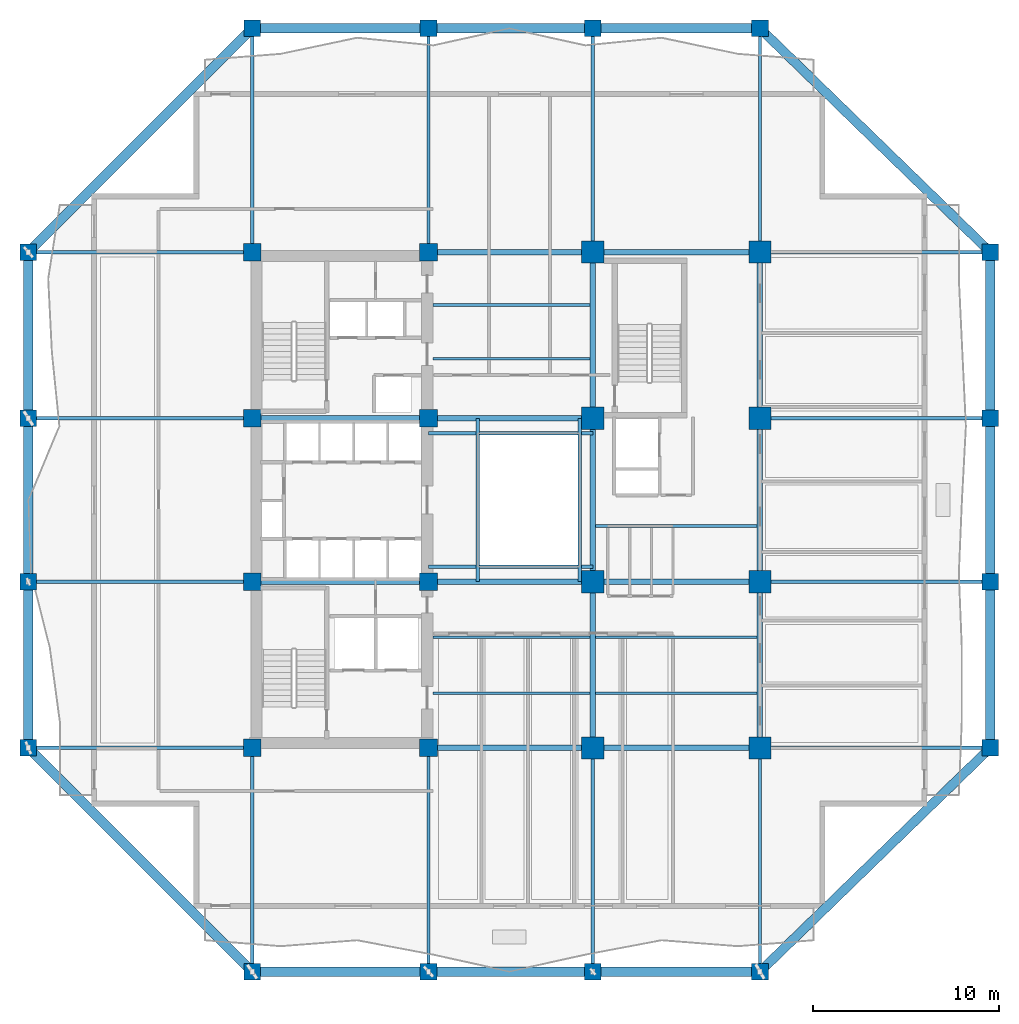
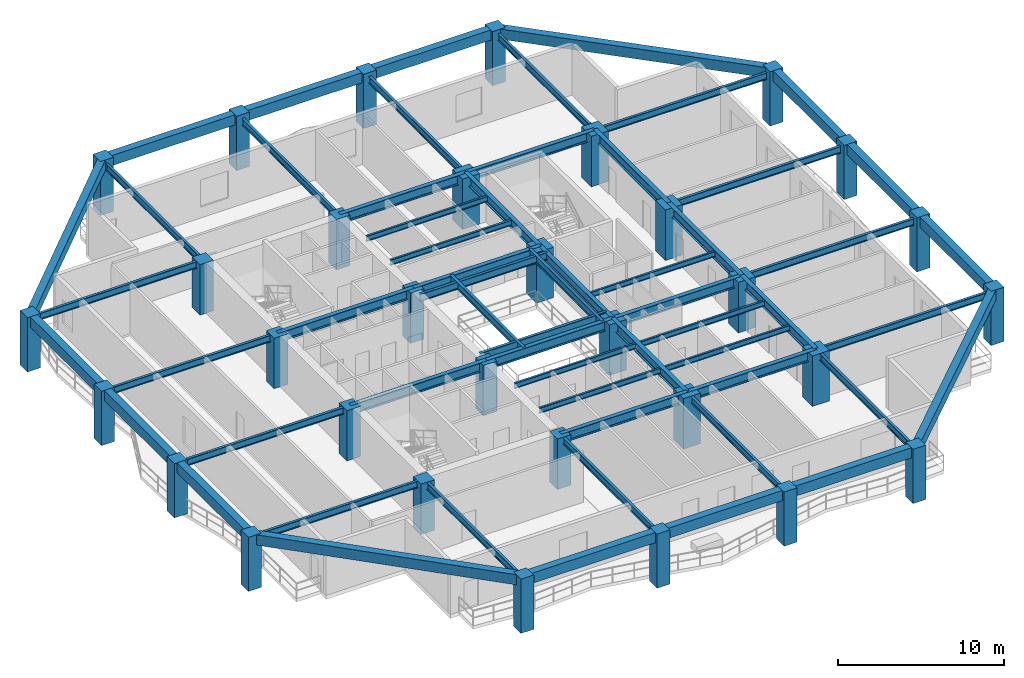
# One storey, part 1 of 13: 58 beams, 32 columns.
"""IFC4 building model written with IfcOpenShell, lengths in metres."""

from ifc_helpers import new_model, si_unit, direction, frame, origin, origin_2d, place, context, subcontext, project, spatial, rectangle, i_section, extrude, material, material_profile, profile_set, type_object, element, save


model = new_model("IFC4")

# Units and contexts
model_context = context("Model", 3, precision=1e-05, world=origin(), true_north=direction((0.0, 1.0)))
body_context = subcontext(model_context, "Body", "Model", "MODEL_VIEW")
ifc_project = project(units=[si_unit("LENGTHUNIT", "METRE"), si_unit("AREAUNIT", "SQUARE_METRE"), si_unit("VOLUMEUNIT", "CUBIC_METRE"), si_unit("PLANEANGLEUNIT", "RADIAN"), si_unit("MASSUNIT", "GRAM", prefix="KILO")], contexts=[model_context])

# Site, building, storey
site_placement = place(None, origin())
site = spatial("IfcSite", under=ifc_project, at=site_placement, CompositionType="ELEMENT")
building_placement = place(site_placement, origin())
building = spatial("IfcBuilding", under=site, at=building_placement, Name="Kundavana Baori Tower", CompositionType="ELEMENT")
storey_placement = place(building_placement, frame((0.0, 0.0, 70.0)))
storey = spatial("IfcBuildingStorey", under=building, at=storey_placement, Name="L16", CompositionType="ELEMENT", Elevation=70.0)

# Columns
ifc_material_1 = material(Name="Concrete C60/75", Category="concrete")
ifc_material_profile_1 = material_profile(ifc_material_1, rectangle(XDim=0.89990234375, YDim=0.89990234375, at=origin_2d()), Name="RC PF 900x900")
ifc_profile_set_1 = profile_set([ifc_material_profile_1], Name="Concrete C60/75")
column_type_1 = type_object("IfcColumnType", Name="COL-PF-900", PredefinedType="COLUMN", material=ifc_profile_set_1)
for number, where, z_axis, x_axis, name in (
    (1, (15.449951171875, 3.199951171875, 0.0), (0.0, 0.0, 1.0), (1.0, 0.0, 0.0), "L16 Stone-Clad Perimeter Frame Column PF-S1"),
    (2, (15.449951171875, 54.0, 0.0), (0.0, 0.0, 1.0), (1.0, 0.0, 0.0), "L16 Stone-Clad Perimeter Frame Column PF-N1"),
    (3, (24.949951171875, 3.199951171875, 0.0), (0.0, 0.0, 1.0), (1.0, 0.0, 0.0), "L16 Stone-Clad Perimeter Frame Column PF-S2"),
    (4, (24.949951171875, 54.0, 0.0), (0.0, 0.0, 1.0), (1.0, 0.0, 0.0), "L16 Stone-Clad Perimeter Frame Column PF-N2"),
    (5, (33.800048828125, 3.199951171875, 0.0), (0.0, 0.0, 1.0), (1.0, 0.0, 0.0), "L16 Stone-Clad Perimeter Frame Column PF-S3"),
    (6, (33.800048828125, 54.0, 0.0), (0.0, 0.0, 1.0), (1.0, 0.0, 0.0), "L16 Stone-Clad Perimeter Frame Column PF-N3"),
    (7, (42.800048828125, 3.199951171875, 0.0), (0.0, 0.0, 1.0), (1.0, 0.0, 0.0), "L16 Stone-Clad Perimeter Frame Column PF-S4"),
    (8, (42.800048828125, 54.0, 0.0), (0.0, 0.0, 1.0), (1.0, 0.0, 0.0), "L16 Stone-Clad Perimeter Frame Column PF-N4"),
    (9, (3.39990234375, 15.25, 0.0), (0.0, 0.0, 1.0), (1.0, 0.0, 0.0), "L16 Stone-Clad Perimeter Frame Column PF-W1"),
    (10, (55.199951171875, 15.25, 0.0), (0.0, 0.0, 1.0), (1.0, 0.0, 0.0), "L16 Stone-Clad Perimeter Frame Column PF-E1"),
    (11, (3.39990234375, 24.199951171875, 0.0), (0.0, 0.0, 1.0), (1.0, 0.0, 0.0), "L16 Stone-Clad Perimeter Frame Column PF-W2"),
    (12, (55.199951171875, 24.199951171875, 0.0), (0.0, 0.0, 1.0), (1.0, 0.0, 0.0), "L16 Stone-Clad Perimeter Frame Column PF-E2"),
    (13, (3.39990234375, 33.0, 0.0), (0.0, 0.0, 1.0), (1.0, 0.0, 0.0), "L16 Stone-Clad Perimeter Frame Column PF-W3"),
    (14, (55.199951171875, 33.0, 0.0), (0.0, 0.0, 1.0), (1.0, 0.0, 0.0), "L16 Stone-Clad Perimeter Frame Column PF-E3"),
    (15, (3.39990234375, 41.949951171875, 0.0), (0.0, 0.0, 1.0), (1.0, 0.0, 0.0), "L16 Stone-Clad Perimeter Frame Column PF-W4"),
    (16, (55.199951171875, 41.949951171875, 0.0), (0.0, 0.0, 1.0), (1.0, 0.0, 0.0), "L16 Stone-Clad Perimeter Frame Column PF-E4"),
):
    element("IfcColumn", number, at=place(storey_placement, frame(where, z_axis=z_axis, x_axis=x_axis)), inside=storey, type_object=column_type_1, Name=name, PredefinedType="COLUMN", context=body_context, shape_type="SweptSolid", body=[
        extrude(rectangle(XDim=0.89990234375, YDim=0.89990234375, at=origin_2d()), origin(), (0.0, 0.0, 1.0), 4.0),
    ])
ifc_material_2 = material(Name="Concrete C60/75", Category="concrete")
ifc_material_profile_2 = material_profile(ifc_material_2, rectangle(XDim=1.199951171875, YDim=1.199951171875, at=origin_2d()), Name="RC 1200x1200")
ifc_profile_set_2 = profile_set([ifc_material_profile_2], Name="Concrete C60/75")
column_type_2 = type_object("IfcColumnType", Name="COL-RC-1200", PredefinedType="COLUMN", material=ifc_profile_set_2)
for number, where, z_axis, x_axis, name in (
    (17, (33.800048828125, 15.25, 0.0), (0.0, 0.0, 1.0), (1.0, 0.0, 0.0), "L16 Interior Column IC-5C"),
    (18, (33.800048828125, 24.199951171875, 0.0), (0.0, 0.0, 1.0), (1.0, 0.0, 0.0), "L16 Interior Column IC-5D"),
    (19, (33.800048828125, 33.0, 0.0), (0.0, 0.0, 1.0), (1.0, 0.0, 0.0), "L16 Interior Column IC-5E"),
    (20, (33.800048828125, 41.949951171875, 0.0), (0.0, 0.0, 1.0), (1.0, 0.0, 0.0), "L16 Interior Column IC-5F"),
    (21, (42.800048828125, 15.25, 0.0), (0.0, 0.0, 1.0), (1.0, 0.0, 0.0), "L16 Interior Column IC-6C"),
    (22, (42.800048828125, 24.199951171875, 0.0), (0.0, 0.0, 1.0), (1.0, 0.0, 0.0), "L16 Interior Column IC-6D"),
    (23, (42.800048828125, 33.0, 0.0), (0.0, 0.0, 1.0), (1.0, 0.0, 0.0), "L16 Interior Column IC-6E"),
    (24, (42.800048828125, 41.949951171875, 0.0), (0.0, 0.0, 1.0), (1.0, 0.0, 0.0), "L16 Interior Column IC-6F"),
):
    element("IfcColumn", number, at=place(storey_placement, frame(where, z_axis=z_axis, x_axis=x_axis)), inside=storey, type_object=column_type_2, Name=name, PredefinedType="COLUMN", context=body_context, shape_type="SweptSolid", body=[
        extrude(rectangle(XDim=1.199951171875, YDim=1.199951171875, at=origin_2d()), origin(), (0.0, 0.0, 1.0), 3.719970703125),
    ])
ifc_material_3 = material(Name="Concrete C50/60", Category="concrete")
ifc_material_profile_3 = material_profile(ifc_material_3, rectangle(XDim=0.949951171875, YDim=0.949951171875, at=origin_2d()), Name="RC 950x950")
ifc_profile_set_3 = profile_set([ifc_material_profile_3], Name="Concrete C50/60")
column_type_3 = type_object("IfcColumnType", Name="COL-RC-950", PredefinedType="COLUMN", material=ifc_profile_set_3)
for number, where, z_axis, x_axis, name in (
    (25, (15.449951171875, 15.25, 0.0), (0.0, 0.0, 1.0), (1.0, 0.0, 0.0), "L16 Interior Column IC-3C"),
    (26, (15.449951171875, 24.199951171875, 0.0), (0.0, 0.0, 1.0), (1.0, 0.0, 0.0), "L16 Interior Column IC-3D"),
    (27, (15.449951171875, 33.0, 0.0), (0.0, 0.0, 1.0), (1.0, 0.0, 0.0), "L16 Interior Column IC-3E"),
    (28, (15.449951171875, 41.949951171875, 0.0), (0.0, 0.0, 1.0), (1.0, 0.0, 0.0), "L16 Interior Column IC-3F"),
    (29, (24.949951171875, 15.25, 0.0), (0.0, 0.0, 1.0), (1.0, 0.0, 0.0), "L16 Interior Column IC-4C"),
    (30, (24.949951171875, 24.199951171875, 0.0), (0.0, 0.0, 1.0), (1.0, 0.0, 0.0), "L16 Interior Column IC-4D"),
    (31, (24.949951171875, 33.0, 0.0), (0.0, 0.0, 1.0), (1.0, 0.0, 0.0), "L16 Interior Column IC-4E"),
    (32, (24.949951171875, 41.949951171875, 0.0), (0.0, 0.0, 1.0), (1.0, 0.0, 0.0), "L16 Interior Column IC-4F"),
):
    element("IfcColumn", number, at=place(storey_placement, frame(where, z_axis=z_axis, x_axis=x_axis)), inside=storey, type_object=column_type_3, Name=name, PredefinedType="COLUMN", context=body_context, shape_type="SweptSolid", body=[
        extrude(rectangle(XDim=0.949951171875, YDim=0.949951171875, at=origin_2d()), origin(), (0.0, 0.0, 1.0), 3.719970703125),
    ])

# Beams
ifc_material_4 = material(Name="Structural Steel S355JR", Category="steel")
ifc_material_profile_4 = material_profile(ifc_material_4, i_section(OverallWidth=0.139892578125, OverallDepth=0.39990234375, WebThickness=0.0087890625, FlangeThickness=0.01611328125, FilletRadius=0.013916015625, at=origin_2d()), Name="ISMB 400")
ifc_profile_set_4 = profile_set([ifc_material_profile_4], Name="Structural Steel S355JR")
beam_type_1 = type_object("IfcBeamType", Name="BM-JST-400", PredefinedType="JOIST", material=ifc_profile_set_4)
for number, where, z_axis, x_axis, name in (
    (33, (25.179931640625, 18.199951171875, 3.52001953125), (1.0, 0.0, 0.0), (0.0, 1.0, 0.0), "L16 Central Bay Composite Floor Joist C1"),
    (34, (25.179931640625, 21.199951171875, 3.52001953125), (1.0, 0.0, 0.0), (0.0, 1.0, 0.0), "L16 Central Bay Composite Floor Joist C2"),
    (35, (25.179931640625, 36.199951171875, 3.52001953125), (1.0, 0.0, 0.0), (0.0, 1.0, 0.0), "L16 Central Bay Composite Floor Joist C3"),
    (36, (25.179931640625, 39.10009765625, 3.52001953125), (1.0, 0.0, 0.0), (0.0, 1.0, 0.0), "L16 Central Bay Composite Floor Joist C4"),
):
    element("IfcBeam", number, at=place(storey_placement, frame(where, z_axis=z_axis, x_axis=x_axis)), inside=storey, type_object=beam_type_1, Name=name, PredefinedType="JOIST", context=body_context, shape_type="SweptSolid", body=[
        extrude(i_section(OverallWidth=0.139892578125, OverallDepth=0.39990234375, WebThickness=0.0087890625, FlangeThickness=0.01611328125, FilletRadius=0.013916015625, at=origin_2d()), origin(), (0.0, 0.0, 1.0), 8.469970703125),
    ])
for number, where, z_axis, x_axis, name in (
    (37, (33.949951171875, 18.199951171875, 3.52001953125), (1.0, 0.0, 0.0), (0.0, 1.0, 0.0), "L16 East Bay Composite Floor Joist E1"),
    (38, (33.949951171875, 21.199951171875, 3.52001953125), (1.0, 0.0, 0.0), (0.0, 1.0, 0.0), "L16 East Bay Composite Floor Joist E2"),
    (39, (33.949951171875, 27.199951171875, 3.52001953125), (1.0, 0.0, 0.0), (0.0, 1.0, 0.0), "L16 East Bay Composite Floor Joist E3"),
):
    element("IfcBeam", number, at=place(storey_placement, frame(where, z_axis=z_axis, x_axis=x_axis)), inside=storey, type_object=beam_type_1, Name=name, PredefinedType="JOIST", context=body_context, shape_type="SweptSolid", body=[
        extrude(i_section(OverallWidth=0.139892578125, OverallDepth=0.39990234375, WebThickness=0.0087890625, FlangeThickness=0.01611328125, FilletRadius=0.013916015625, at=origin_2d()), origin(), (0.0, 0.0, 1.0), 8.699951171875),
    ])
ifc_material_5 = material(Name="Concrete C50/60", Category="concrete")
ifc_material_profile_5 = material_profile(ifc_material_5, rectangle(XDim=0.5, YDim=0.75, at=origin_2d()), Name="RC BM 500x750")
ifc_profile_set_5 = profile_set([ifc_material_profile_5], Name="Concrete C50/60")
beam_type_2 = type_object("IfcBeamType", Name="BM-PF-750", PredefinedType="SPANDREL", material=ifc_profile_set_5)
beam_1_placement = place(storey_placement, frame((15.449951171875, 3.199951171875, 3.625), z_axis=(1.0, 0.0, 0.0), x_axis=(0.0, 1.0, 0.0)))
element("IfcBeam", 40, at=beam_1_placement, inside=storey, type_object=beam_type_2, Name="L16 Perimeter Frame Ring Beam S1", PredefinedType="SPANDREL", context=body_context, shape_type="SweptSolid", body=[
    extrude(rectangle(XDim=0.5, YDim=0.75, at=origin_2d()), origin(), (0.0, 0.0, 1.0), 9.5),
])
beam_2_placement = place(storey_placement, frame((24.949951171875, 3.199951171875, 3.625), z_axis=(1.0, 0.0, 0.0), x_axis=(0.0, 1.0, 0.0)))
element("IfcBeam", 41, at=beam_2_placement, inside=storey, type_object=beam_type_2, Name="L16 Perimeter Frame Ring Beam S2", PredefinedType="SPANDREL", context=body_context, shape_type="SweptSolid", body=[
    extrude(rectangle(XDim=0.5, YDim=0.75, at=origin_2d()), origin(), (0.0, 0.0, 1.0), 8.85009765625),
])
beam_3_placement = place(storey_placement, frame((33.800048828125, 3.199951171875, 3.625), z_axis=(1.0, 0.0, 0.0), x_axis=(0.0, 1.0, 0.0)))
element("IfcBeam", 42, at=beam_3_placement, inside=storey, type_object=beam_type_2, Name="L16 Perimeter Frame Ring Beam S3", PredefinedType="SPANDREL", context=body_context, shape_type="SweptSolid", body=[
    extrude(rectangle(XDim=0.5, YDim=0.75, at=origin_2d()), origin(), (0.0, 0.0, 1.0), 9.0),
])
beam_4_placement = place(storey_placement, frame((15.449951171875, 54.0, 3.625), z_axis=(1.0, 0.0, 0.0), x_axis=(0.0, 1.0, 0.0)))
element("IfcBeam", 43, at=beam_4_placement, inside=storey, type_object=beam_type_2, Name="L16 Perimeter Frame Ring Beam N1", PredefinedType="SPANDREL", context=body_context, shape_type="SweptSolid", body=[
    extrude(rectangle(XDim=0.5, YDim=0.75, at=origin_2d()), origin(), (0.0, 0.0, 1.0), 9.5),
])
beam_5_placement = place(storey_placement, frame((24.949951171875, 54.0, 3.625), z_axis=(1.0, 0.0, 0.0), x_axis=(0.0, 1.0, 0.0)))
element("IfcBeam", 44, at=beam_5_placement, inside=storey, type_object=beam_type_2, Name="L16 Perimeter Frame Ring Beam N2", PredefinedType="SPANDREL", context=body_context, shape_type="SweptSolid", body=[
    extrude(rectangle(XDim=0.5, YDim=0.75, at=origin_2d()), origin(), (0.0, 0.0, 1.0), 8.85009765625),
])
beam_6_placement = place(storey_placement, frame((33.800048828125, 54.0, 3.625), z_axis=(1.0, 0.0, 0.0), x_axis=(0.0, 1.0, 0.0)))
element("IfcBeam", 45, at=beam_6_placement, inside=storey, type_object=beam_type_2, Name="L16 Perimeter Frame Ring Beam N3", PredefinedType="SPANDREL", context=body_context, shape_type="SweptSolid", body=[
    extrude(rectangle(XDim=0.5, YDim=0.75, at=origin_2d()), origin(), (0.0, 0.0, 1.0), 9.0),
])
beam_7_placement = place(storey_placement, frame((3.39990234375, 15.25, 3.625), z_axis=(0.0, 1.0, 0.0), x_axis=(-1.0, 0.0, 0.0)))
element("IfcBeam", 46, at=beam_7_placement, inside=storey, type_object=beam_type_2, Name="L16 Perimeter Frame Ring Beam W1", PredefinedType="SPANDREL", context=body_context, shape_type="SweptSolid", body=[
    extrude(rectangle(XDim=0.5, YDim=0.75, at=origin_2d()), origin(), (0.0, 0.0, 1.0), 8.949951171875),
])
beam_8_placement = place(storey_placement, frame((3.39990234375, 24.199951171875, 3.625), z_axis=(0.0, 1.0, 0.0), x_axis=(-1.0, 0.0, 0.0)))
element("IfcBeam", 47, at=beam_8_placement, inside=storey, type_object=beam_type_2, Name="L16 Perimeter Frame Ring Beam W2", PredefinedType="SPANDREL", context=body_context, shape_type="SweptSolid", body=[
    extrude(rectangle(XDim=0.5, YDim=0.75, at=origin_2d()), origin(), (0.0, 0.0, 1.0), 8.800048828125),
])
for number, where, z_axis, x_axis, name in (
    (48, (3.39990234375, 33.0, 3.625), (0.0, 1.0, 0.0), (-1.0, 0.0, 0.0), "L16 Perimeter Frame Ring Beam W3"),
    (49, (55.199951171875, 15.25, 3.625), (0.0, 1.0, 0.0), (-1.0, 0.0, 0.0), "L16 Perimeter Frame Ring Beam E1"),
):
    element("IfcBeam", number, at=place(storey_placement, frame(where, z_axis=z_axis, x_axis=x_axis)), inside=storey, type_object=beam_type_2, Name=name, PredefinedType="SPANDREL", context=body_context, shape_type="SweptSolid", body=[
        extrude(rectangle(XDim=0.5, YDim=0.75, at=origin_2d()), origin(), (0.0, 0.0, 1.0), 8.949951171875),
    ])
beam_9_placement = place(storey_placement, frame((55.199951171875, 24.199951171875, 3.625), z_axis=(0.0, 1.0, 0.0), x_axis=(-1.0, 0.0, 0.0)))
element("IfcBeam", 50, at=beam_9_placement, inside=storey, type_object=beam_type_2, Name="L16 Perimeter Frame Ring Beam E2", PredefinedType="SPANDREL", context=body_context, shape_type="SweptSolid", body=[
    extrude(rectangle(XDim=0.5, YDim=0.75, at=origin_2d()), origin(), (0.0, 0.0, 1.0), 8.800048828125),
])
beam_10_placement = place(storey_placement, frame((55.199951171875, 33.0, 3.625), z_axis=(0.0, 1.0, 0.0), x_axis=(-1.0, 0.0, 0.0)))
element("IfcBeam", 51, at=beam_10_placement, inside=storey, type_object=beam_type_2, Name="L16 Perimeter Frame Ring Beam E3", PredefinedType="SPANDREL", context=body_context, shape_type="SweptSolid", body=[
    extrude(rectangle(XDim=0.5, YDim=0.75, at=origin_2d()), origin(), (0.0, 0.0, 1.0), 8.949951171875),
])
beam_11_placement = place(storey_placement, frame((15.449951171875, 3.199951171875, 3.625), z_axis=(-0.707106781187, 0.707106781187, 0.0), x_axis=(-0.707106781187, -0.707106781187, 0.0)))
element("IfcBeam", 52, at=beam_11_placement, inside=storey, type_object=beam_type_2, Name="L16 Notched Corner Perimeter Beam SW", PredefinedType="SPANDREL", context=body_context, shape_type="SweptSolid", body=[
    extrude(rectangle(XDim=0.5, YDim=0.75, at=origin_2d()), origin(), (0.0, 0.0, 1.0), 17.041259765625),
])
beam_12_placement = place(storey_placement, frame((42.800048828125, 3.199951171875, 3.625), z_axis=(0.717151334594, 0.696917472367, 0.0), x_axis=(-0.696917472367, 0.717151334594, 0.0)))
element("IfcBeam", 53, at=beam_12_placement, inside=storey, type_object=beam_type_2, Name="L16 Notched Corner Perimeter Beam SE", PredefinedType="SPANDREL", context=body_context, shape_type="SweptSolid", body=[
    extrude(rectangle(XDim=0.5, YDim=0.75, at=origin_2d()), origin(), (0.0, 0.0, 1.0), 17.29052734375),
])
beam_13_placement = place(storey_placement, frame((15.449951171875, 54.0, 3.625), z_axis=(-0.707106781187, -0.707106781187, 0.0), x_axis=(0.707106781187, -0.707106781187, 0.0)))
element("IfcBeam", 54, at=beam_13_placement, inside=storey, type_object=beam_type_2, Name="L16 Notched Corner Perimeter Beam NW", PredefinedType="SPANDREL", context=body_context, shape_type="SweptSolid", body=[
    extrude(rectangle(XDim=0.5, YDim=0.75, at=origin_2d()), origin(), (0.0, 0.0, 1.0), 17.041259765625),
])
beam_14_placement = place(storey_placement, frame((42.800048828125, 54.0, 3.625), z_axis=(0.717151334594, -0.696917472367, 0.0), x_axis=(0.696917472367, 0.717151334594, 0.0)))
element("IfcBeam", 55, at=beam_14_placement, inside=storey, type_object=beam_type_2, Name="L16 Notched Corner Perimeter Beam NE", PredefinedType="SPANDREL", context=body_context, shape_type="SweptSolid", body=[
    extrude(rectangle(XDim=0.5, YDim=0.75, at=origin_2d()), origin(), (0.0, 0.0, 1.0), 17.29052734375),
])
ifc_material_6 = material(Name="Structural Steel S355JR", Category="steel")
ifc_material_profile_6 = material_profile(ifc_material_6, i_section(OverallWidth=0.18994140625, OverallDepth=0.550048828125, WebThickness=0.01123046875, FlangeThickness=0.019287109375, FilletRadius=0.01806640625, at=origin_2d()), Name="ISMB 550")
ifc_profile_set_6 = profile_set([ifc_material_profile_6], Name="Structural Steel S355JR")
beam_type_3 = type_object("IfcBeamType", Name="BM-ST-550", PredefinedType="BEAM", material=ifc_profile_set_6)
for number, where, z_axis, x_axis, name in (
    (56, (27.60009765625, 24.199951171875, 3.445068359375), (0.0, 1.0, 0.0), (-1.0, 0.0, 0.0), "L16 Atrium West Edge Beam"),
    (57, (33.10009765625, 24.199951171875, 3.445068359375), (0.0, 1.0, 0.0), (-1.0, 0.0, 0.0), "L16 Atrium East Edge Beam"),
):
    element("IfcBeam", number, at=place(storey_placement, frame(where, z_axis=z_axis, x_axis=x_axis)), inside=storey, type_object=beam_type_3, Name=name, PredefinedType="BEAM", context=body_context, shape_type="SweptSolid", body=[
        extrude(i_section(OverallWidth=0.18994140625, OverallDepth=0.550048828125, WebThickness=0.01123046875, FlangeThickness=0.019287109375, FilletRadius=0.01806640625, at=origin_2d()), origin(), (0.0, 0.0, 1.0), 8.800048828125),
    ])
for number, where, z_axis, x_axis, name in (
    (58, (24.949951171875, 25.0, 3.445068359375), (1.0, 0.0, 0.0), (0.0, 1.0, 0.0), "L16 Atrium South Edge Beam"),
    (59, (24.949951171875, 32.199951171875, 3.445068359375), (1.0, 0.0, 0.0), (0.0, 1.0, 0.0), "L16 Atrium North Edge Beam"),
):
    element("IfcBeam", number, at=place(storey_placement, frame(where, z_axis=z_axis, x_axis=x_axis)), inside=storey, type_object=beam_type_3, Name=name, PredefinedType="BEAM", context=body_context, shape_type="SweptSolid", body=[
        extrude(i_section(OverallWidth=0.18994140625, OverallDepth=0.550048828125, WebThickness=0.01123046875, FlangeThickness=0.019287109375, FilletRadius=0.01806640625, at=origin_2d()), origin(), (0.0, 0.0, 1.0), 8.85009765625),
    ])
ifc_material_7 = material(Name="Structural Steel S355JR", Category="steel")
ifc_material_profile_7 = material_profile(ifc_material_7, i_section(OverallWidth=0.300048828125, OverallDepth=0.699951171875, WebThickness=0.014404296875, FlangeThickness=0.02392578125, FilletRadius=0.02392578125, at=origin_2d()), Name="NPB 700x300x170")
ifc_profile_set_7 = profile_set([ifc_material_profile_7], Name="Structural Steel S355JR")
beam_type_4 = type_object("IfcBeamType", Name="BM-ST-700", PredefinedType="BEAM", material=ifc_profile_set_7)
beam_15_placement = place(storey_placement, frame((24.949951171875, 15.25, 3.3701171875), z_axis=(1.0, 0.0, 0.0), x_axis=(0.0, 1.0, 0.0)))
element("IfcBeam", 60, at=beam_15_placement, inside=storey, type_object=beam_type_4, Name="L16 Primary Grid Girder GX-1-2", PredefinedType="BEAM", context=body_context, shape_type="SweptSolid", body=[
    extrude(i_section(OverallWidth=0.300048828125, OverallDepth=0.699951171875, WebThickness=0.014404296875, FlangeThickness=0.02392578125, FilletRadius=0.02392578125, at=origin_2d()), origin(), (0.0, 0.0, 1.0), 8.85009765625),
])
beam_16_placement = place(storey_placement, frame((33.800048828125, 15.25, 3.3701171875), z_axis=(1.0, 0.0, 0.0), x_axis=(0.0, 1.0, 0.0)))
element("IfcBeam", 61, at=beam_16_placement, inside=storey, type_object=beam_type_4, Name="L16 Primary Grid Girder GX-1-3", PredefinedType="BEAM", context=body_context, shape_type="SweptSolid", body=[
    extrude(i_section(OverallWidth=0.300048828125, OverallDepth=0.699951171875, WebThickness=0.014404296875, FlangeThickness=0.02392578125, FilletRadius=0.02392578125, at=origin_2d()), origin(), (0.0, 0.0, 1.0), 9.0),
])
beam_17_placement = place(storey_placement, frame((15.449951171875, 24.199951171875, 3.3701171875), z_axis=(1.0, 0.0, 0.0), x_axis=(0.0, 1.0, 0.0)))
element("IfcBeam", 62, at=beam_17_placement, inside=storey, type_object=beam_type_4, Name="L16 Primary Grid Girder GX-2-1", PredefinedType="BEAM", context=body_context, shape_type="SweptSolid", body=[
    extrude(i_section(OverallWidth=0.300048828125, OverallDepth=0.699951171875, WebThickness=0.014404296875, FlangeThickness=0.02392578125, FilletRadius=0.02392578125, at=origin_2d()), origin(), (0.0, 0.0, 1.0), 9.5),
])
beam_18_placement = place(storey_placement, frame((24.949951171875, 24.199951171875, 3.3701171875), z_axis=(1.0, 0.0, 0.0), x_axis=(0.0, 1.0, 0.0)))
element("IfcBeam", 63, at=beam_18_placement, inside=storey, type_object=beam_type_4, Name="L16 Primary Grid Girder GX-2-2", PredefinedType="BEAM", context=body_context, shape_type="SweptSolid", body=[
    extrude(i_section(OverallWidth=0.300048828125, OverallDepth=0.699951171875, WebThickness=0.014404296875, FlangeThickness=0.02392578125, FilletRadius=0.02392578125, at=origin_2d()), origin(), (0.0, 0.0, 1.0), 8.85009765625),
])
beam_19_placement = place(storey_placement, frame((33.800048828125, 24.199951171875, 3.3701171875), z_axis=(1.0, 0.0, 0.0), x_axis=(0.0, 1.0, 0.0)))
element("IfcBeam", 64, at=beam_19_placement, inside=storey, type_object=beam_type_4, Name="L16 Primary Grid Girder GX-2-3", PredefinedType="BEAM", context=body_context, shape_type="SweptSolid", body=[
    extrude(i_section(OverallWidth=0.300048828125, OverallDepth=0.699951171875, WebThickness=0.014404296875, FlangeThickness=0.02392578125, FilletRadius=0.02392578125, at=origin_2d()), origin(), (0.0, 0.0, 1.0), 9.0),
])
beam_20_placement = place(storey_placement, frame((15.449951171875, 33.0, 3.3701171875), z_axis=(1.0, 0.0, 0.0), x_axis=(0.0, 1.0, 0.0)))
element("IfcBeam", 65, at=beam_20_placement, inside=storey, type_object=beam_type_4, Name="L16 Primary Grid Girder GX-3-1", PredefinedType="BEAM", context=body_context, shape_type="SweptSolid", body=[
    extrude(i_section(OverallWidth=0.300048828125, OverallDepth=0.699951171875, WebThickness=0.014404296875, FlangeThickness=0.02392578125, FilletRadius=0.02392578125, at=origin_2d()), origin(), (0.0, 0.0, 1.0), 9.5),
])
for number, where, z_axis, x_axis, name in (
    (66, (24.949951171875, 33.0, 3.3701171875), (1.0, 0.0, 0.0), (0.0, 1.0, 0.0), "L16 Primary Grid Girder GX-3-2"),
    (67, (24.949951171875, 41.949951171875, 3.3701171875), (1.0, 0.0, 0.0), (0.0, 1.0, 0.0), "L16 Primary Grid Girder GX-4-2"),
):
    element("IfcBeam", number, at=place(storey_placement, frame(where, z_axis=z_axis, x_axis=x_axis)), inside=storey, type_object=beam_type_4, Name=name, PredefinedType="BEAM", context=body_context, shape_type="SweptSolid", body=[
        extrude(i_section(OverallWidth=0.300048828125, OverallDepth=0.699951171875, WebThickness=0.014404296875, FlangeThickness=0.02392578125, FilletRadius=0.02392578125, at=origin_2d()), origin(), (0.0, 0.0, 1.0), 8.85009765625),
    ])
beam_21_placement = place(storey_placement, frame((33.800048828125, 41.949951171875, 3.3701171875), z_axis=(1.0, 0.0, 0.0), x_axis=(0.0, 1.0, 0.0)))
element("IfcBeam", 68, at=beam_21_placement, inside=storey, type_object=beam_type_4, Name="L16 Primary Grid Girder GX-4-3", PredefinedType="BEAM", context=body_context, shape_type="SweptSolid", body=[
    extrude(i_section(OverallWidth=0.300048828125, OverallDepth=0.699951171875, WebThickness=0.014404296875, FlangeThickness=0.02392578125, FilletRadius=0.02392578125, at=origin_2d()), origin(), (0.0, 0.0, 1.0), 9.0),
])
beam_22_placement = place(storey_placement, frame((33.800048828125, 15.25, 3.3701171875), z_axis=(0.0, 1.0, 0.0), x_axis=(-1.0, 0.0, 0.0)))
element("IfcBeam", 69, at=beam_22_placement, inside=storey, type_object=beam_type_4, Name="L16 Primary Grid Girder GY-3-1", PredefinedType="BEAM", context=body_context, shape_type="SweptSolid", body=[
    extrude(i_section(OverallWidth=0.300048828125, OverallDepth=0.699951171875, WebThickness=0.014404296875, FlangeThickness=0.02392578125, FilletRadius=0.02392578125, at=origin_2d()), origin(), (0.0, 0.0, 1.0), 8.949951171875),
])
beam_23_placement = place(storey_placement, frame((33.800048828125, 24.199951171875, 3.3701171875), z_axis=(0.0, 1.0, 0.0), x_axis=(-1.0, 0.0, 0.0)))
element("IfcBeam", 70, at=beam_23_placement, inside=storey, type_object=beam_type_4, Name="L16 Primary Grid Girder GY-3-2", PredefinedType="BEAM", context=body_context, shape_type="SweptSolid", body=[
    extrude(i_section(OverallWidth=0.300048828125, OverallDepth=0.699951171875, WebThickness=0.014404296875, FlangeThickness=0.02392578125, FilletRadius=0.02392578125, at=origin_2d()), origin(), (0.0, 0.0, 1.0), 8.800048828125),
])
for number, where, z_axis, x_axis, name in (
    (71, (33.800048828125, 33.0, 3.3701171875), (0.0, 1.0, 0.0), (-1.0, 0.0, 0.0), "L16 Primary Grid Girder GY-3-3"),
    (72, (42.800048828125, 15.25, 3.3701171875), (0.0, 1.0, 0.0), (-1.0, 0.0, 0.0), "L16 Primary Grid Girder GY-4-1"),
):
    element("IfcBeam", number, at=place(storey_placement, frame(where, z_axis=z_axis, x_axis=x_axis)), inside=storey, type_object=beam_type_4, Name=name, PredefinedType="BEAM", context=body_context, shape_type="SweptSolid", body=[
        extrude(i_section(OverallWidth=0.300048828125, OverallDepth=0.699951171875, WebThickness=0.014404296875, FlangeThickness=0.02392578125, FilletRadius=0.02392578125, at=origin_2d()), origin(), (0.0, 0.0, 1.0), 8.949951171875),
    ])
beam_24_placement = place(storey_placement, frame((42.800048828125, 24.199951171875, 3.3701171875), z_axis=(0.0, 1.0, 0.0), x_axis=(-1.0, 0.0, 0.0)))
element("IfcBeam", 73, at=beam_24_placement, inside=storey, type_object=beam_type_4, Name="L16 Primary Grid Girder GY-4-2", PredefinedType="BEAM", context=body_context, shape_type="SweptSolid", body=[
    extrude(i_section(OverallWidth=0.300048828125, OverallDepth=0.699951171875, WebThickness=0.014404296875, FlangeThickness=0.02392578125, FilletRadius=0.02392578125, at=origin_2d()), origin(), (0.0, 0.0, 1.0), 8.800048828125),
])
beam_25_placement = place(storey_placement, frame((42.800048828125, 33.0, 3.3701171875), z_axis=(0.0, 1.0, 0.0), x_axis=(-1.0, 0.0, 0.0)))
element("IfcBeam", 74, at=beam_25_placement, inside=storey, type_object=beam_type_4, Name="L16 Primary Grid Girder GY-4-3", PredefinedType="BEAM", context=body_context, shape_type="SweptSolid", body=[
    extrude(i_section(OverallWidth=0.300048828125, OverallDepth=0.699951171875, WebThickness=0.014404296875, FlangeThickness=0.02392578125, FilletRadius=0.02392578125, at=origin_2d()), origin(), (0.0, 0.0, 1.0), 8.949951171875),
])
ifc_material_8 = material(Name="Structural Steel S355JR", Category="steel")
ifc_material_profile_8 = material_profile(ifc_material_8, i_section(OverallWidth=0.179931640625, OverallDepth=0.5, WebThickness=0.01025390625, FlangeThickness=0.01708984375, FilletRadius=0.01708984375, at=origin_2d()), Name="ISMB 500")
ifc_profile_set_8 = profile_set([ifc_material_profile_8], Name="Structural Steel S355JR")
beam_type_5 = type_object("IfcBeamType", Name="BM-TIE-500", PredefinedType="BEAM", material=ifc_profile_set_8)
for number, where, z_axis, x_axis, name in (
    (75, (15.449951171875, 15.25, 3.469970703125), (0.0, -1.0, 0.0), (1.0, 0.0, 0.0), "L16 South Radial Loggia Tie Beam S1"),
    (76, (15.449951171875, 41.949951171875, 3.469970703125), (0.0, 1.0, 0.0), (-1.0, 0.0, 0.0), "L16 North Radial Loggia Tie Beam N1"),
    (77, (24.949951171875, 15.25, 3.469970703125), (0.0, -1.0, 0.0), (1.0, 0.0, 0.0), "L16 South Radial Loggia Tie Beam S2"),
    (78, (24.949951171875, 41.949951171875, 3.469970703125), (0.0, 1.0, 0.0), (-1.0, 0.0, 0.0), "L16 North Radial Loggia Tie Beam N2"),
    (79, (33.800048828125, 15.25, 3.469970703125), (0.0, -1.0, 0.0), (1.0, 0.0, 0.0), "L16 South Radial Loggia Tie Beam S3"),
    (80, (33.800048828125, 41.949951171875, 3.469970703125), (0.0, 1.0, 0.0), (-1.0, 0.0, 0.0), "L16 North Radial Loggia Tie Beam N3"),
    (81, (42.800048828125, 15.25, 3.469970703125), (0.0, -1.0, 0.0), (1.0, 0.0, 0.0), "L16 South Radial Loggia Tie Beam S4"),
    (82, (42.800048828125, 41.949951171875, 3.469970703125), (0.0, 1.0, 0.0), (-1.0, 0.0, 0.0), "L16 North Radial Loggia Tie Beam N4"),
    (83, (15.449951171875, 15.25, 3.469970703125), (-1.0, 0.0, 0.0), (0.0, -1.0, 0.0), "L16 West Radial Loggia Tie Beam W1"),
):
    element("IfcBeam", number, at=place(storey_placement, frame(where, z_axis=z_axis, x_axis=x_axis)), inside=storey, type_object=beam_type_5, Name=name, PredefinedType="BEAM", context=body_context, shape_type="SweptSolid", body=[
        extrude(i_section(OverallWidth=0.179931640625, OverallDepth=0.5, WebThickness=0.01025390625, FlangeThickness=0.01708984375, FilletRadius=0.01708984375, at=origin_2d()), origin(), (0.0, 0.0, 1.0), 12.050048828125),
    ])
beam_26_placement = place(storey_placement, frame((42.800048828125, 15.25, 3.469970703125), z_axis=(1.0, 0.0, 0.0), x_axis=(0.0, 1.0, 0.0)))
element("IfcBeam", 84, at=beam_26_placement, inside=storey, type_object=beam_type_5, Name="L16 East Radial Loggia Tie Beam E1", PredefinedType="BEAM", context=body_context, shape_type="SweptSolid", body=[
    extrude(i_section(OverallWidth=0.179931640625, OverallDepth=0.5, WebThickness=0.01025390625, FlangeThickness=0.01708984375, FilletRadius=0.01708984375, at=origin_2d()), origin(), (0.0, 0.0, 1.0), 12.39990234375),
])
beam_27_placement = place(storey_placement, frame((15.449951171875, 24.199951171875, 3.469970703125), z_axis=(-1.0, 0.0, 0.0), x_axis=(0.0, -1.0, 0.0)))
element("IfcBeam", 85, at=beam_27_placement, inside=storey, type_object=beam_type_5, Name="L16 West Radial Loggia Tie Beam W2", PredefinedType="BEAM", context=body_context, shape_type="SweptSolid", body=[
    extrude(i_section(OverallWidth=0.179931640625, OverallDepth=0.5, WebThickness=0.01025390625, FlangeThickness=0.01708984375, FilletRadius=0.01708984375, at=origin_2d()), origin(), (0.0, 0.0, 1.0), 12.050048828125),
])
beam_28_placement = place(storey_placement, frame((42.800048828125, 24.199951171875, 3.469970703125), z_axis=(1.0, 0.0, 0.0), x_axis=(0.0, 1.0, 0.0)))
element("IfcBeam", 86, at=beam_28_placement, inside=storey, type_object=beam_type_5, Name="L16 East Radial Loggia Tie Beam E2", PredefinedType="BEAM", context=body_context, shape_type="SweptSolid", body=[
    extrude(i_section(OverallWidth=0.179931640625, OverallDepth=0.5, WebThickness=0.01025390625, FlangeThickness=0.01708984375, FilletRadius=0.01708984375, at=origin_2d()), origin(), (0.0, 0.0, 1.0), 12.39990234375),
])
beam_29_placement = place(storey_placement, frame((15.449951171875, 33.0, 3.469970703125), z_axis=(-1.0, 0.0, 0.0), x_axis=(0.0, -1.0, 0.0)))
element("IfcBeam", 87, at=beam_29_placement, inside=storey, type_object=beam_type_5, Name="L16 West Radial Loggia Tie Beam W3", PredefinedType="BEAM", context=body_context, shape_type="SweptSolid", body=[
    extrude(i_section(OverallWidth=0.179931640625, OverallDepth=0.5, WebThickness=0.01025390625, FlangeThickness=0.01708984375, FilletRadius=0.01708984375, at=origin_2d()), origin(), (0.0, 0.0, 1.0), 12.050048828125),
])
beam_30_placement = place(storey_placement, frame((42.800048828125, 33.0, 3.469970703125), z_axis=(1.0, 0.0, 0.0), x_axis=(0.0, 1.0, 0.0)))
element("IfcBeam", 88, at=beam_30_placement, inside=storey, type_object=beam_type_5, Name="L16 East Radial Loggia Tie Beam E3", PredefinedType="BEAM", context=body_context, shape_type="SweptSolid", body=[
    extrude(i_section(OverallWidth=0.179931640625, OverallDepth=0.5, WebThickness=0.01025390625, FlangeThickness=0.01708984375, FilletRadius=0.01708984375, at=origin_2d()), origin(), (0.0, 0.0, 1.0), 12.39990234375),
])
beam_31_placement = place(storey_placement, frame((15.449951171875, 41.949951171875, 3.469970703125), z_axis=(-1.0, 0.0, 0.0), x_axis=(0.0, -1.0, 0.0)))
element("IfcBeam", 89, at=beam_31_placement, inside=storey, type_object=beam_type_5, Name="L16 West Radial Loggia Tie Beam W4", PredefinedType="BEAM", context=body_context, shape_type="SweptSolid", body=[
    extrude(i_section(OverallWidth=0.179931640625, OverallDepth=0.5, WebThickness=0.01025390625, FlangeThickness=0.01708984375, FilletRadius=0.01708984375, at=origin_2d()), origin(), (0.0, 0.0, 1.0), 12.050048828125),
])
beam_32_placement = place(storey_placement, frame((42.800048828125, 41.949951171875, 3.469970703125), z_axis=(1.0, 0.0, 0.0), x_axis=(0.0, 1.0, 0.0)))
element("IfcBeam", 90, at=beam_32_placement, inside=storey, type_object=beam_type_5, Name="L16 East Radial Loggia Tie Beam E4", PredefinedType="BEAM", context=body_context, shape_type="SweptSolid", body=[
    extrude(i_section(OverallWidth=0.179931640625, OverallDepth=0.5, WebThickness=0.01025390625, FlangeThickness=0.01708984375, FilletRadius=0.01708984375, at=origin_2d()), origin(), (0.0, 0.0, 1.0), 12.39990234375),
])

save(model, "model.ifc")
